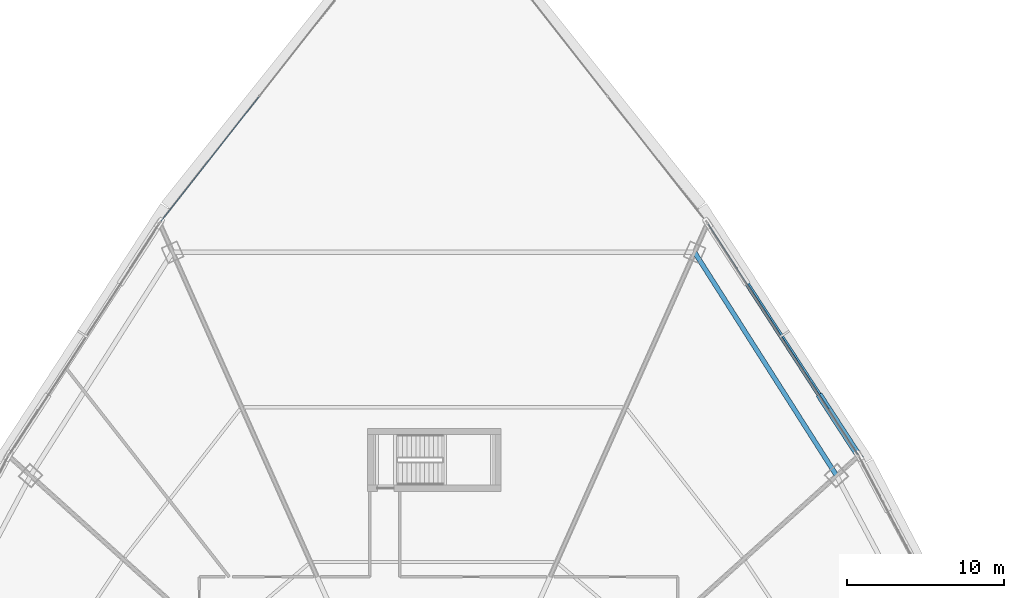
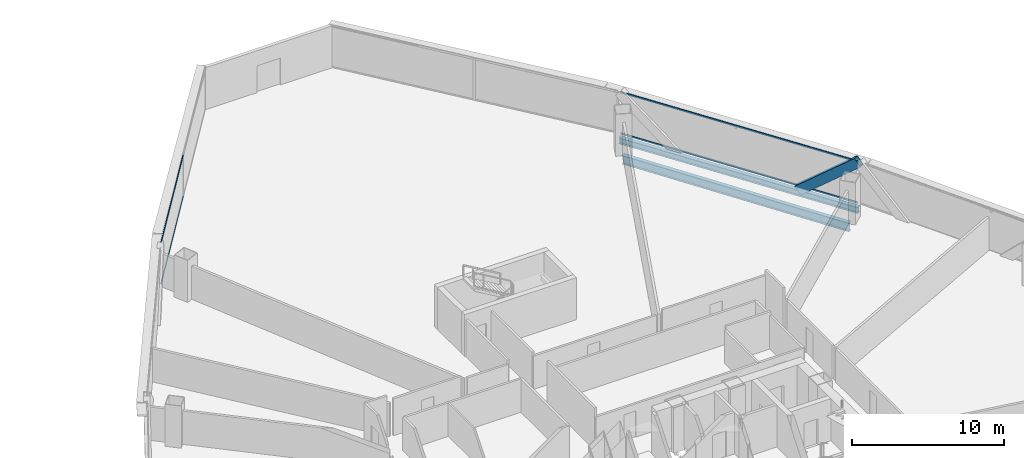
# One storey, part 24 of 38: 5 members, 2 beams, 2 elements without a shape of their own.
"""IFC4 building model written with IfcOpenShell, lengths in metres."""

from ifc_helpers import new_model, si_unit, direction, frame, origin, origin_2d, place, context, subcontext, project, spatial, hollow_rectangle, i_section, extrude, source, transform, mapped, material, layer, layer_set, material_profile, profile_set, type_object, element, aggregate, save


model = new_model("IFC4")

# Units and contexts
model_context = context("Model", 3, precision=1e-05, world=origin(), true_north=direction((0.0, 1.0)))
body_context = subcontext(model_context, "Body", "Model", "MODEL_VIEW")
ifc_project = project(units=[si_unit("LENGTHUNIT", "METRE"), si_unit("AREAUNIT", "SQUARE_METRE"), si_unit("VOLUMEUNIT", "CUBIC_METRE"), si_unit("PLANEANGLEUNIT", "RADIAN"), si_unit("MASSUNIT", "GRAM", prefix="KILO"), si_unit("THERMODYNAMICTEMPERATUREUNIT", "KELVIN"), si_unit("POWERUNIT", "WATT")], contexts=[model_context])

# Site, building, storey
site_placement = place(None, origin())
site = spatial("IfcSite", under=ifc_project, at=site_placement, CompositionType="ELEMENT")
building_placement = place(site_placement, origin())
building = spatial("IfcBuilding", under=site, at=building_placement, Name="Yunzhuo Pagoda Commons", CompositionType="ELEMENT")
storey_placement = place(building_placement, frame((0.0, 0.0, 30.39990234375)))
storey = spatial("IfcBuildingStorey", under=building, at=storey_placement, Name="L07", CompositionType="ELEMENT", Elevation=30.39990234375)

# Beams
ifc_material_1 = material(Name="Structural steel Q355B", Category="steel")
ifc_material_profile_1 = material_profile(ifc_material_1, i_section(OverallWidth=0.300048828125, OverallDepth=0.699951171875, WebThickness=0.012939453125, FlangeThickness=0.02392578125, at=origin_2d()), Name="Structural steel Q355B")
ifc_profile_set_1 = profile_set([ifc_material_profile_1], Name="Structural steel Q355B")
beam_type_1 = type_object("IfcBeamType", Name="B-RG1 Beam HN 700x300x13x24", PredefinedType="BEAM", material=ifc_profile_set_1)
shared_shape_1 = source(origin(), body_context, "Body", "SweptSolid", [
    extrude(i_section(OverallWidth=0.300048828125, OverallDepth=0.699951171875, WebThickness=0.012939453125, FlangeThickness=0.02392578125, at=origin_2d()), origin(), (0.0, 0.0, 1.0), 16.843994140625),
])
beam_1_placement = place(storey_placement, frame((73.648681640625, 56.79443359375, -0.60986328125), z_axis=(-0.536558458992, 0.843863152462, 0.0), x_axis=(-0.843863152462, -0.536558458992, 0.0)))
element("IfcBeam", 1, at=beam_1_placement, inside=storey, type_object=beam_type_1, Name="L07 column-ring beam 7", PredefinedType="BEAM", context=body_context, shape_type="MappedRepresentation", body=[
    mapped(shared_shape_1, transform((0.0, 0.0, 0.0), scale=1.0)),
])
ifc_material_profile_2 = material_profile(ifc_material_1, i_section(OverallWidth=0.300048828125, OverallDepth=0.488037109375, WebThickness=0.010986328125, FlangeThickness=0.01806640625, at=origin_2d()), Name="Structural steel Q355B")
ifc_profile_set_2 = profile_set([ifc_material_profile_2], Name="Structural steel Q355B")
beam_type_2 = type_object("IfcBeamType", Name="B-SP1 Beam HM 488x300x11x18", PredefinedType="BEAM", material=ifc_profile_set_2)
shared_shape_2 = source(origin(), body_context, "Body", "SweptSolid", [
    extrude(i_section(OverallWidth=0.300048828125, OverallDepth=0.488037109375, WebThickness=0.010986328125, FlangeThickness=0.01806640625, at=origin_2d()), origin(), (0.0, 0.0, 1.0), 17.656494140625),
])
beam_2_placement = place(storey_placement, frame((75.056640625, 58.061767578125, -0.50390625), z_axis=(-0.544679207435, 0.838644478303, 0.0), x_axis=(-0.838644478303, -0.544679207435, 0.0)))
element("IfcBeam", 2, at=beam_2_placement, inside=storey, type_object=beam_type_2, Name="L07 facade edge spandrel beam F2.3", PredefinedType="BEAM", context=body_context, shape_type="MappedRepresentation", body=[
    mapped(shared_shape_2, transform((0.0, 0.0, 0.0), scale=1.0)),
])

# Member
ifc_material_2 = material(Name="Structural steel Q420B", Category="steel")
ifc_material_profile_3 = material_profile(ifc_material_2, hollow_rectangle(XDim=0.419921875, YDim=0.719970703125, WallThickness=0.028076171875, at=origin_2d()), Name="Structural steel Q420B")
ifc_profile_set_3 = profile_set([ifc_material_profile_3], Name="Structural steel Q420B")
member_type_1 = type_object("IfcMemberType", Name="M-DL1 Brace BOX 720x420x28", PredefinedType="BRACE", material=ifc_profile_set_3)
shared_shape_3 = source(origin(), body_context, "Body", "SweptSolid", [
    extrude(hollow_rectangle(XDim=0.419921875, YDim=0.719970703125, WallThickness=0.028076171875, at=origin_2d()), origin(), (0.0, 0.0, 1.0), 5.71533203125),
])
member_1_placement = place(storey_placement, frame((72.652099609375, 61.763671875, -0.260009765625), z_axis=(0.42071450604, -0.647709823849, 0.635193898347), x_axis=(0.838619213619, 0.544718105582, 0.0)))
element("IfcMember", 3, at=member_1_placement, inside=storey, type_object=member_type_1, Name="L07 facade diamond brace F2.3L", PredefinedType="BRACE", context=body_context, shape_type="MappedRepresentation", body=[
    mapped(shared_shape_3, transform((0.0, 0.0, 0.0), scale=1.0)),
])

# Curtain wall, members
ifc_material_3 = material(Name="Anodized aluminium 6063-T6", Category="aluminium")
ifc_layer = layer(ifc_material_3, 0.1650390625)
ifc_layer_set = layer_set([ifc_layer], Name="Anodized aluminium 6063-T6")
curtain_wall_type = type_object("IfcCurtainWallType", Name="CW-LOW Low-Zone Ribbon Curtain Wall", PredefinedType="NOTDEFINED", material=ifc_layer_set)
curtain_wall_1_placement = place(storey_placement, origin())
curtain_wall_1 = element("IfcCurtainWall", 4, at=curtain_wall_1_placement, inside=storey, type_object=curtain_wall_type, Name="L07 curtain wall CW-L07-F2B4", PredefinedType="NOTDEFINED")
ifc_material_profile_4 = material_profile(ifc_material_3, hollow_rectangle(XDim=0.06005859375, YDim=0.139892578125, WallThickness=0.00341796875, at=origin_2d()), Name="Anodized aluminium 6063-T6")
ifc_profile_set_4 = profile_set([ifc_material_profile_4], Name="Anodized aluminium 6063-T6")
member_type_2 = type_object("IfcMemberType", Name="CW-LOW-T Transom RHS 140x60x3.5", PredefinedType="USERDEFINED", material=ifc_profile_set_4)
shared_shape_4 = source(origin(), body_context, "Body", "SweptSolid", [
    extrude(hollow_rectangle(XDim=0.06005859375, YDim=0.139892578125, WallThickness=0.00341796875, at=origin_2d()), origin(), (0.0, 0.0, 1.0), 17.5263671875),
])
member_2_placement = place(storey_placement, frame((75.02099609375, 58.1162109375, 0.030029296875), z_axis=(-0.544656342165, 0.838659328297, 0.0), x_axis=(-0.838659328297, -0.544656342165, 0.0)))
member_2 = element("IfcMember", 5, at=member_2_placement, type_object=member_type_2, Name="CW transom 1.1", ObjectType="TRANSOM", PredefinedType="USERDEFINED", context=body_context, shape_type="MappedRepresentation", body=[
    mapped(shared_shape_4, transform((0.0, 0.0, 0.0), scale=1.0)),
])
member_3_placement = place(storey_placement, frame((75.02099609375, 58.1162109375, 3.340087890625), z_axis=(-0.544656342165, 0.838659328297, 0.0), x_axis=(-0.838659328297, -0.544656342165, 0.0)))
member_3 = element("IfcMember", 6, at=member_3_placement, type_object=member_type_2, Name="CW transom 1.2", ObjectType="TRANSOM", PredefinedType="USERDEFINED", context=body_context, shape_type="MappedRepresentation", body=[
    mapped(shared_shape_4, transform((0.0, 0.0, 0.0), scale=1.0)),
])
aggregate(curtain_wall_1, [member_2, member_3])

curtain_wall_2_placement = place(storey_placement, origin())
curtain_wall_2 = element("IfcCurtainWall", 7, at=curtain_wall_2_placement, inside=storey, type_object=curtain_wall_type, Name="L07 curtain wall CW-L07-F3B1", PredefinedType="NOTDEFINED")
shared_shape_5 = source(origin(), body_context, "Body", "SweptSolid", [
    extrude(hollow_rectangle(XDim=0.06005859375, YDim=0.139892578125, WallThickness=0.00341796875, at=origin_2d()), origin(), (0.0, 0.0, 1.0), 10.116455078125),
])
member_4_placement = place(storey_placement, frame((36.904052734375, 80.928955078125, 0.030029296875), z_axis=(-0.618483204392, -0.785798018504, 0.0), x_axis=(0.785798018504, -0.618483204392, 0.0)))
member_4 = element("IfcMember", 8, at=member_4_placement, type_object=member_type_2, Name="CW transom 2.1", ObjectType="TRANSOM", PredefinedType="USERDEFINED", context=body_context, shape_type="MappedRepresentation", body=[
    mapped(shared_shape_5, transform((0.0, 0.0, 0.0), scale=1.0)),
])
member_5_placement = place(storey_placement, frame((36.904052734375, 80.928955078125, 3.340087890625), z_axis=(-0.618483204392, -0.785798018504, 0.0), x_axis=(0.785798018504, -0.618483204392, 0.0)))
member_5 = element("IfcMember", 9, at=member_5_placement, type_object=member_type_2, Name="CW transom 2.2", ObjectType="TRANSOM", PredefinedType="USERDEFINED", context=body_context, shape_type="MappedRepresentation", body=[
    mapped(shared_shape_5, transform((0.0, 0.0, 0.0), scale=1.0)),
])
aggregate(curtain_wall_2, [member_4, member_5])

save(model, "model.ifc")
